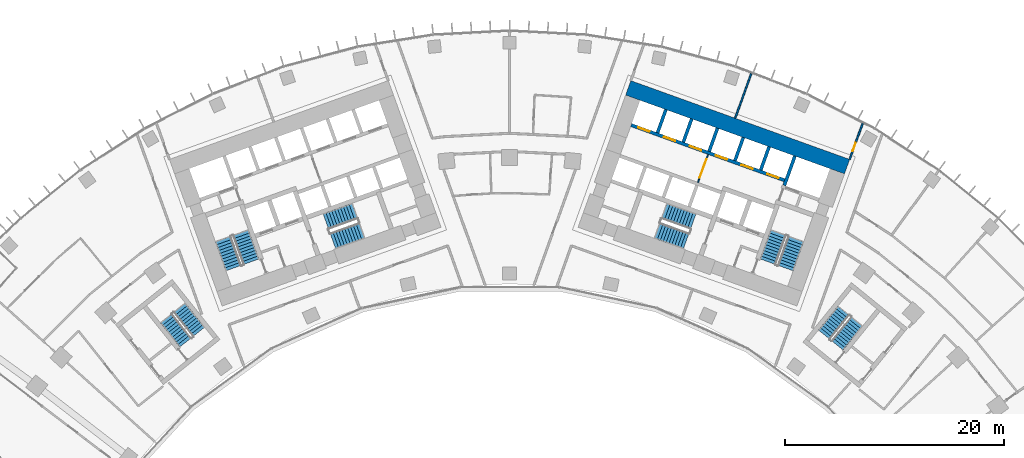
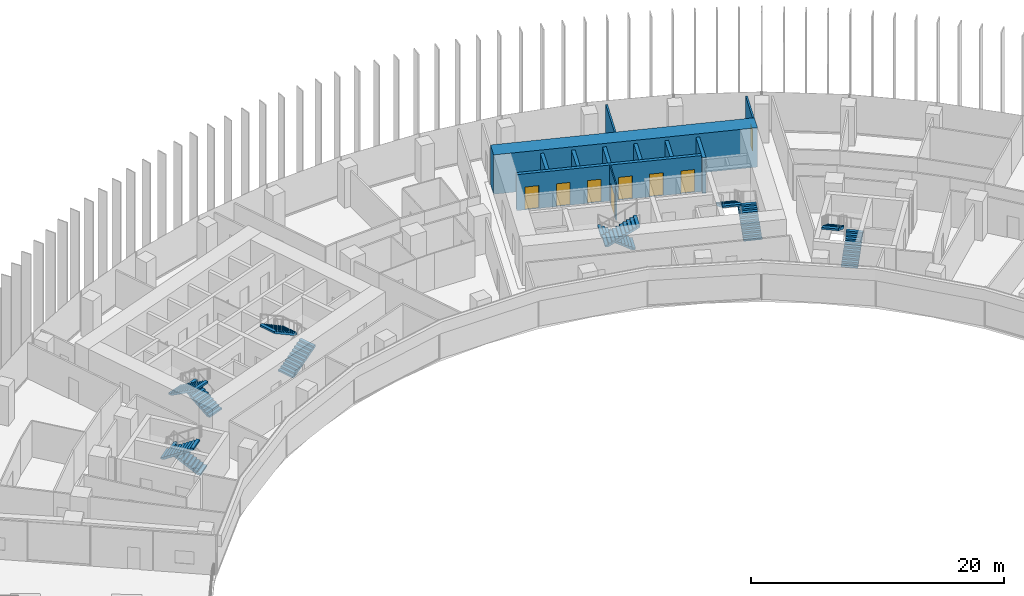
# One storey, part 19 of 21: 12 stair flights, 11 walls, 8 doors, 8 openings, 6 elements without a shape of their own.
"""IFC4 building model written with IfcOpenShell, lengths in metres."""

from ifc_helpers import new_model, si_unit, direction, frame, frame_2d, origin, place, context, subcontext, project, spatial, polyline, rectangle, outline, extrude, material, layer, layer_set, type_object, element, fill, aggregate, save


model = new_model("IFC4")

# Units and contexts
model_context = context("Model", 3, precision=1e-05, world=origin(), true_north=direction((0.0, 1.0)))
body_context = subcontext(model_context, "Body", "Model", "MODEL_VIEW")
ifc_project = project(units=[si_unit("LENGTHUNIT", "METRE"), si_unit("AREAUNIT", "SQUARE_METRE"), si_unit("VOLUMEUNIT", "CUBIC_METRE"), si_unit("PLANEANGLEUNIT", "RADIAN"), si_unit("MASSUNIT", "GRAM", prefix="KILO")], contexts=[model_context])

# Site, building, storey
site_placement = place(None, origin())
site = spatial("IfcSite", under=ifc_project, at=site_placement, CompositionType="ELEMENT")
building_placement = place(site_placement, origin())
building = spatial("IfcBuilding", under=site, at=building_placement, Name="Stone Belt Terrace Tower", CompositionType="ELEMENT")
storey_placement = place(building_placement, frame((0.0, 0.0, 87.0)))
storey = spatial("IfcBuildingStorey", under=building, at=storey_placement, Name="L20", CompositionType="ELEMENT", Elevation=87.0)

# Wall, opening, door
ifc_material_1 = material(Name="Plasterboard partition")
ifc_layer_1 = layer(ifc_material_1, 0.10009765625)
ifc_layer_set_1 = layer_set([ifc_layer_1], Name="Core partition 100")
wall_type_1 = type_object("IfcWallType", Name="Core partition 100", PredefinedType="PARTITIONING", material=ifc_layer_set_1)
wall_1_placement = place(storey_placement, frame((17.17724609375, 52.749755859375, 0.0), z_axis=(0.0, 0.0, 1.0), x_axis=(0.338546555931, 0.940949642365, 0.0)))
wall_1 = element("IfcWall", 1, at=wall_1_placement, inside=storey, type_object=wall_type_1, Name="Core B wall", PredefinedType="PARTITIONING", context=body_context, shape_type="SweptSolid", body=[
    extrude(rectangle(XDim=2.699951171875, YDim=0.10009765625, at=frame_2d((1.35009765625, 0.0))), origin(), (0.0, 0.0, 1.0), 3.47998046875),
])
opening_1_placement = place(wall_1_placement, frame((0.449951171875, 0.0, 0.0)))
opening_1 = element("IfcOpeningElement", 2, at=opening_1_placement, cuts=wall_1, Name="Opening L20-C14", PredefinedType="OPENING", context=body_context, shape_type="SweptSolid", body=[
    extrude(rectangle(XDim=1.800048828125, YDim=2.10009765625, at=frame_2d((0.89990234375, 1.050048828125))), frame((0.0, 0.06005859375, 0.0), z_axis=(0.0, -1.0, 0.0), x_axis=(1.0, 0.0, 0.0)), (0.0, 0.0, 1.0), 0.1201171875),
])
ifc_material_2 = material(Name="Glazed aluminium door leaf", Category="aluminium")
door_type_1 = type_object("IfcDoorType", Name="Lift lobby entrance door 1800", OperationType="DOUBLE_DOOR_SINGLE_SWING", PredefinedType="DOOR", material=ifc_material_2)
door_1_placement = place(opening_1_placement, origin())
door_1 = element("IfcDoor", 3, at=door_1_placement, inside=storey, type_object=door_type_1, Name="Lift lobby double door core B", OperationType="DOUBLE_DOOR_SINGLE_SWING", OverallHeight=2.10009765625, OverallWidth=1.800048828125, PredefinedType="DOOR", context=body_context, shape_type="SweptSolid", body=[
    extrude(rectangle(XDim=1.800048828125, YDim=2.10009765625, at=frame_2d((0.89990234375, 1.050048828125))), frame((0.0, 0.02490234375, 0.0), z_axis=(0.0, -1.0, 0.0), x_axis=(1.0, 0.0, 0.0)), (0.0, 0.0, 1.0), 0.050048828125),
])
fill(opening_1, door_1)

# Walls
ifc_material_3 = material(Name="Concrete B80", Category="concrete")
ifc_layer_2 = layer(ifc_material_3, 1.39990234375)
ifc_layer_set_2 = layer_set([ifc_layer_2], Name="Core wall 1400 B80")
wall_type_2 = type_object("IfcWallType", Name="Core wall 1400 B80", PredefinedType="SHEAR", material=ifc_layer_set_2)
wall_2_placement = place(storey_placement, frame((10.81787109375, 61.362060546875, 0.0), z_axis=(0.0, 0.0, 1.0), x_axis=(0.940919704758, -0.338629752382, 0.0)))
element("IfcWall", 4, at=wall_2_placement, inside=storey, type_object=wall_type_2, Name="Core B wall convex L20", PredefinedType="SHEAR", context=body_context, shape_type="SweptSolid", body=[
    extrude(rectangle(XDim=21.199951171875, YDim=1.39990234375, at=frame_2d((10.60009765625, 0.0))), origin(), (0.0, 0.0, 1.0), 3.800048828125),
])
ifc_layer_3 = layer(ifc_material_3, 0.300048828125)
ifc_layer_set_3 = layer_set([ifc_layer_3], Name="Lift shaft wall 300")
wall_type_3 = type_object("IfcWallType", Name="Lift shaft wall 300", PredefinedType="SHEAR", material=ifc_layer_set_3)
wall_3_placement = place(storey_placement, frame((25.046875, 52.46826171875, 0.0), z_axis=(0.0, 0.0, 1.0), x_axis=(0.338549588058, 0.940948551423, 0.0)))
element("IfcWall", 5, at=wall_3_placement, inside=storey, type_object=wall_type_3, Name="Core B wall", PredefinedType="SHEAR", context=body_context, shape_type="SweptSolid", body=[
    extrude(rectangle(XDim=2.849853515625, YDim=0.300048828125, at=frame_2d((1.4248046875, 0.0))), origin(), (0.0, 0.0, 1.0), 3.47998046875),
])

# Wall, openings, doors
wall_4_placement = place(storey_placement, frame((25.05810546875, 52.9423828125, 0.0), z_axis=(0.0, 0.0, 1.0), x_axis=(-0.940918215764, 0.338633889685, 0.0)))
wall_4 = element("IfcWall", 6, at=wall_4_placement, inside=storey, type_object=wall_type_3, Name="Core B wall", PredefinedType="SHEAR", context=body_context, shape_type="SweptSolid", body=[
    extrude(rectangle(XDim=14.850341796875, YDim=0.300048828125, at=frame_2d((7.42529296875, 0.0))), origin(), (0.0, 0.0, 1.0), 3.47998046875),
])
opening_2_placement = place(wall_4_placement, frame((0.570068359375, 0.0, 0.0)))
opening_2 = element("IfcOpeningElement", 7, at=opening_2_placement, cuts=wall_4, Name="Opening L20-LD10", PredefinedType="OPENING", context=body_context, shape_type="SweptSolid", body=[
    extrude(rectangle(XDim=1.10009765625, YDim=2.199951171875, at=frame_2d((0.550048828125, 1.10009765625))), frame((0.0, 0.159912109375, 0.0), z_axis=(0.0, -1.0, 0.0), x_axis=(1.0, 0.0, 0.0)), (0.0, 0.0, 1.0), 0.320068359375),
])
opening_3_placement = place(wall_4_placement, frame((3.070068359375, 0.0, 0.0)))
opening_3 = element("IfcOpeningElement", 8, at=opening_3_placement, cuts=wall_4, Name="Opening L20-LD11", PredefinedType="OPENING", context=body_context, shape_type="SweptSolid", body=[
    extrude(rectangle(XDim=1.10009765625, YDim=2.199951171875, at=frame_2d((0.550048828125, 1.10009765625))), frame((0.0, 0.159912109375, 0.0), z_axis=(0.0, -1.0, 0.0), x_axis=(1.0, 0.0, 0.0)), (0.0, 0.0, 1.0), 0.320068359375),
])
opening_4_placement = place(wall_4_placement, frame((5.570068359375, 0.0, 0.0)))
opening_4 = element("IfcOpeningElement", 9, at=opening_4_placement, cuts=wall_4, Name="Opening L20-LD12", PredefinedType="OPENING", context=body_context, shape_type="SweptSolid", body=[
    extrude(rectangle(XDim=1.10009765625, YDim=2.199951171875, at=frame_2d((0.550048828125, 1.10009765625))), frame((0.0, 0.159912109375, 0.0), z_axis=(0.0, -1.0, 0.0), x_axis=(1.0, 0.0, 0.0)), (0.0, 0.0, 1.0), 0.320068359375),
])
opening_5_placement = place(wall_4_placement, frame((8.070068359375, 0.0, 0.0)))
opening_5 = element("IfcOpeningElement", 10, at=opening_5_placement, cuts=wall_4, Name="Opening L20-LD13", PredefinedType="OPENING", context=body_context, shape_type="SweptSolid", body=[
    extrude(rectangle(XDim=1.10009765625, YDim=2.199951171875, at=frame_2d((0.550048828125, 1.10009765625))), frame((0.0, 0.159912109375, 0.0), z_axis=(0.0, -1.0, 0.0), x_axis=(1.0, 0.0, 0.0)), (0.0, 0.0, 1.0), 0.320068359375),
])
opening_6_placement = place(wall_4_placement, frame((10.570068359375, 0.0, 0.0)))
opening_6 = element("IfcOpeningElement", 11, at=opening_6_placement, cuts=wall_4, Name="Opening L20-LD14", PredefinedType="OPENING", context=body_context, shape_type="SweptSolid", body=[
    extrude(rectangle(XDim=1.10009765625, YDim=2.199951171875, at=frame_2d((0.550048828125, 1.10009765625))), frame((0.0, 0.159912109375, 0.0), z_axis=(0.0, -1.0, 0.0), x_axis=(1.0, 0.0, 0.0)), (0.0, 0.0, 1.0), 0.320068359375),
])
opening_7_placement = place(wall_4_placement, frame((13.070068359375, 0.0, 0.0)))
opening_7 = element("IfcOpeningElement", 12, at=opening_7_placement, cuts=wall_4, Name="Opening L20-LD15", PredefinedType="OPENING", context=body_context, shape_type="SweptSolid", body=[
    extrude(rectangle(XDim=1.10009765625, YDim=2.199951171875, at=frame_2d((0.550048828125, 1.10009765625))), frame((0.0, 0.159912109375, 0.0), z_axis=(0.0, -1.0, 0.0), x_axis=(1.0, 0.0, 0.0)), (0.0, 0.0, 1.0), 0.320068359375),
])
ifc_material_4 = material(Name="Stainless steel door leaf", Category="steel")
door_type_2 = type_object("IfcDoorType", Name="Landing door 1100", OperationType="SLIDING_TO_LEFT", PredefinedType="DOOR", material=ifc_material_4)
door_2_placement = place(opening_2_placement, origin())
door_2 = element("IfcDoor", 13, at=door_2_placement, inside=storey, type_object=door_type_2, Name="Landing door LR1 core B", OperationType="SLIDING_TO_LEFT", OverallHeight=2.199951171875, OverallWidth=1.10009765625, PredefinedType="DOOR", context=body_context, shape_type="SweptSolid", body=[
    extrude(rectangle(XDim=1.10009765625, YDim=2.199951171875, at=frame_2d((0.550048828125, 1.10009765625))), frame((0.0, 0.02490234375, 0.0), z_axis=(0.0, -1.0, 0.0), x_axis=(1.0, 0.0, 0.0)), (0.0, 0.0, 1.0), 0.050048828125),
])
fill(opening_2, door_2)
door_3_placement = place(opening_3_placement, origin())
door_3 = element("IfcDoor", 14, at=door_3_placement, inside=storey, type_object=door_type_2, Name="Landing door LR2 core B", OperationType="SLIDING_TO_LEFT", OverallHeight=2.199951171875, OverallWidth=1.10009765625, PredefinedType="DOOR", context=body_context, shape_type="SweptSolid", body=[
    extrude(rectangle(XDim=1.10009765625, YDim=2.199951171875, at=frame_2d((0.550048828125, 1.10009765625))), frame((0.0, 0.02490234375, 0.0), z_axis=(0.0, -1.0, 0.0), x_axis=(1.0, 0.0, 0.0)), (0.0, 0.0, 1.0), 0.050048828125),
])
fill(opening_3, door_3)
door_4_placement = place(opening_4_placement, origin())
door_4 = element("IfcDoor", 15, at=door_4_placement, inside=storey, type_object=door_type_2, Name="Landing door LR3 core B", OperationType="SLIDING_TO_LEFT", OverallHeight=2.199951171875, OverallWidth=1.10009765625, PredefinedType="DOOR", context=body_context, shape_type="SweptSolid", body=[
    extrude(rectangle(XDim=1.10009765625, YDim=2.199951171875, at=frame_2d((0.550048828125, 1.10009765625))), frame((0.0, 0.02490234375, 0.0), z_axis=(0.0, -1.0, 0.0), x_axis=(1.0, 0.0, 0.0)), (0.0, 0.0, 1.0), 0.050048828125),
])
fill(opening_4, door_4)
door_5_placement = place(opening_5_placement, origin())
door_5 = element("IfcDoor", 16, at=door_5_placement, inside=storey, type_object=door_type_2, Name="Landing door LR4 core B", OperationType="SLIDING_TO_LEFT", OverallHeight=2.199951171875, OverallWidth=1.10009765625, PredefinedType="DOOR", context=body_context, shape_type="SweptSolid", body=[
    extrude(rectangle(XDim=1.10009765625, YDim=2.199951171875, at=frame_2d((0.550048828125, 1.10009765625))), frame((0.0, 0.02490234375, 0.0), z_axis=(0.0, -1.0, 0.0), x_axis=(1.0, 0.0, 0.0)), (0.0, 0.0, 1.0), 0.050048828125),
])
fill(opening_5, door_5)
door_6_placement = place(opening_6_placement, origin())
door_6 = element("IfcDoor", 17, at=door_6_placement, inside=storey, type_object=door_type_2, Name="Landing door LR5 core B", OperationType="SLIDING_TO_LEFT", OverallHeight=2.199951171875, OverallWidth=1.10009765625, PredefinedType="DOOR", context=body_context, shape_type="SweptSolid", body=[
    extrude(rectangle(XDim=1.10009765625, YDim=2.199951171875, at=frame_2d((0.550048828125, 1.10009765625))), frame((0.0, 0.02490234375, 0.0), z_axis=(0.0, -1.0, 0.0), x_axis=(1.0, 0.0, 0.0)), (0.0, 0.0, 1.0), 0.050048828125),
])
fill(opening_6, door_6)
door_7_placement = place(opening_7_placement, origin())
door_7 = element("IfcDoor", 18, at=door_7_placement, inside=storey, type_object=door_type_2, Name="Landing door LR6 core B", OperationType="SLIDING_TO_LEFT", OverallHeight=2.199951171875, OverallWidth=1.10009765625, PredefinedType="DOOR", context=body_context, shape_type="SweptSolid", body=[
    extrude(rectangle(XDim=1.10009765625, YDim=2.199951171875, at=frame_2d((0.550048828125, 1.10009765625))), frame((0.0, 0.02490234375, 0.0), z_axis=(0.0, -1.0, 0.0), x_axis=(1.0, 0.0, 0.0)), (0.0, 0.0, 1.0), 0.050048828125),
])
fill(opening_7, door_7)

# Walls
wall_5_placement = place(storey_placement, frame((22.897705078125, 53.87939453125, 0.0), z_axis=(0.0, 0.0, 1.0), x_axis=(0.338535034312, 0.940953787677, 0.0)))
element("IfcWall", 19, at=wall_5_placement, inside=storey, type_object=wall_type_3, Name="Core B wall", PredefinedType="SHEAR", context=body_context, shape_type="SweptSolid", body=[
    extrude(rectangle(XDim=2.25, YDim=0.300048828125, at=frame_2d((1.125, 0.0))), origin(), (0.0, 0.0, 1.0), 3.47998046875),
])
wall_6_placement = place(storey_placement, frame((20.54541015625, 54.72607421875, 0.0), z_axis=(0.0, 0.0, 1.0), x_axis=(0.338569601369, 0.940941350472, 0.0)))
element("IfcWall", 20, at=wall_6_placement, inside=storey, type_object=wall_type_3, Name="Core B wall", PredefinedType="SHEAR", context=body_context, shape_type="SweptSolid", body=[
    extrude(rectangle(XDim=2.249755859375, YDim=0.300048828125, at=frame_2d((1.125, 0.0))), origin(), (0.0, 0.0, 1.0), 3.47998046875),
])
wall_7_placement = place(storey_placement, frame((18.193115234375, 55.572509765625, 0.0), z_axis=(0.0, 0.0, 1.0), x_axis=(0.338535034312, 0.940953787677, 0.0)))
element("IfcWall", 21, at=wall_7_placement, inside=storey, type_object=wall_type_3, Name="Core B wall", PredefinedType="SHEAR", context=body_context, shape_type="SweptSolid", body=[
    extrude(rectangle(XDim=2.25, YDim=0.300048828125, at=frame_2d((1.125, 0.0))), origin(), (0.0, 0.0, 1.0), 3.47998046875),
])
wall_8_placement = place(storey_placement, frame((15.8408203125, 56.419189453125, 0.0), z_axis=(0.0, 0.0, 1.0), x_axis=(0.338569601369, 0.940941350472, 0.0)))
element("IfcWall", 22, at=wall_8_placement, inside=storey, type_object=wall_type_3, Name="Core B wall", PredefinedType="SHEAR", context=body_context, shape_type="SweptSolid", body=[
    extrude(rectangle(XDim=2.249755859375, YDim=0.300048828125, at=frame_2d((1.125, 0.0))), origin(), (0.0, 0.0, 1.0), 3.47998046875),
])
wall_9_placement = place(storey_placement, frame((13.48828125, 57.265625, 0.0), z_axis=(0.0, 0.0, 1.0), x_axis=(0.338631098537, 0.940919220286, 0.0)))
element("IfcWall", 23, at=wall_9_placement, inside=storey, type_object=wall_type_3, Name="Core B wall", PredefinedType="SHEAR", context=body_context, shape_type="SweptSolid", body=[
    extrude(rectangle(XDim=2.250244140625, YDim=0.300048828125, at=frame_2d((1.125, 0.0))), origin(), (0.0, 0.0, 1.0), 3.47998046875),
])

# Wall, opening, door
ifc_material_5 = material(Name="Gypsum board partition")
ifc_layer_4 = layer(ifc_material_5, 0.14990234375)
ifc_layer_set_4 = layer_set([ifc_layer_4], Name="PARTITION 150 EI 60")
wall_type_4 = type_object("IfcWallType", Name="PARTITION 150 EI 60", PredefinedType="PARTITIONING", material=ifc_layer_set_4)
wall_10_placement = place(storey_placement, frame((31.001953125, 54.842041015625, 0.0), z_axis=(0.0, 0.0, 1.0), x_axis=(0.338662585219, 0.940907887826, 0.0)))
wall_10 = element("IfcWall", 24, at=wall_10_placement, inside=storey, type_object=wall_type_4, Name="L20/wall/i020", PredefinedType="PARTITIONING", context=body_context, shape_type="SweptSolid", body=[
    extrude(rectangle(XDim=3.49560546875, YDim=0.14990234375, at=frame_2d((1.747802734375, 0.0))), origin(), (0.0, 0.0, 1.0), 3.47998046875),
])
opening_8_placement = place(wall_10_placement, frame((0.823974609375, 0.0, 0.0)))
opening_8 = element("IfcOpeningElement", 25, at=opening_8_placement, cuts=wall_10, Name="Opening D-B1-08", PredefinedType="OPENING", context=body_context, shape_type="SweptSolid", body=[
    extrude(rectangle(XDim=0.800048828125, YDim=2.10009765625, at=frame_2d((0.39990234375, 1.050048828125))), frame((0.0, 0.0849609375, 0.0), z_axis=(0.0, -1.0, 0.0), x_axis=(1.0, 0.0, 0.0)), (0.0, 0.0, 1.0), 0.169921875),
])
ifc_material_6 = material(Name="Timber door leaf", Category="wood")
door_type_3 = type_object("IfcDoorType", Name="STORE DOOR 800 X 2100", OperationType="NOTDEFINED", PredefinedType="DOOR", material=ifc_material_6)
door_8_placement = place(opening_8_placement, origin())
door_8 = element("IfcDoor", 26, at=door_8_placement, inside=storey, type_object=door_type_3, Name="L20/door/i08", OperationType="SINGLE_SWING_LEFT", OverallHeight=2.10009765625, OverallWidth=0.800048828125, PredefinedType="DOOR", context=body_context, shape_type="SweptSolid", body=[
    extrude(rectangle(XDim=0.800048828125, YDim=2.10009765625, at=frame_2d((0.39990234375, 1.050048828125))), frame((0.0, 0.02490234375, 0.0), z_axis=(0.0, -1.0, 0.0), x_axis=(1.0, 0.0, 0.0)), (0.0, 0.0, 1.0), 0.050048828125),
])
fill(opening_8, door_8)

# Wall
wall_11_placement = place(storey_placement, frame((22.032958984375, 62.676025390625, 0.0), z_axis=(0.0, 0.0, 1.0), x_axis=(-0.338697527565, -0.940895310235, 0.0)))
element("IfcWall", 27, at=wall_11_placement, inside=storey, type_object=wall_type_4, Name="L20/wall/i028", PredefinedType="PARTITIONING", context=body_context, shape_type="SweptSolid", body=[
    extrude(rectangle(XDim=4.334228515625, YDim=0.14990234375, at=frame_2d((2.1669921875, 0.0))), origin(), (0.0, 0.0, 1.0), 3.47998046875),
])

# Stair, stair flights
ifc_material_7 = material(Name="Concrete B40", Category="concrete")
stair_type = type_object("IfcStairType", Name="Exit stair 1500", PredefinedType="HALF_TURN_STAIR", material=ifc_material_7)
stair_1_placement = place(storey_placement, origin())
stair_1 = element("IfcStair", 28, at=stair_1_placement, inside=storey, type_object=stair_type, Name="L20 Exit stair 1 core A", PredefinedType="HALF_TURN_STAIR")
stair_flight_type = type_object("IfcStairFlightType", Name="Stair flight 1500", PredefinedType="STRAIGHT", material=ifc_material_7)
stair_flight_1_placement = place(storey_placement, frame((-23.55322265625, 45.51318359375, 0.0), z_axis=(0.0, 0.0, 1.0), x_axis=(-0.338624396177, 0.940921632398, 0.0)))
stair_flight_1 = element("IfcStairFlight", 29, at=stair_flight_1_placement, type_object=stair_flight_type, Name="ST1A flight 1", NumberOfRisers=11, NumberOfTreads=10, PredefinedType="STRAIGHT", RiserHeight=0.172727273, TreadLength=0.28, context=body_context, shape_type="SweptSolid", body=[
    extrude(outline(polyline([(0.0, 0.0), (0.0, 0.172607421875), (0.280029296875, 0.172607421875), (0.280029296875, 0.345458984375), (0.56005859375, 0.345458984375), (0.56005859375, 0.51806640625), (0.840087890625, 0.51806640625), (0.840087890625, 0.69091796875), (1.1201171875, 0.69091796875), (1.1201171875, 0.863525390625), (1.39990234375, 0.863525390625), (1.39990234375, 1.036376953125), (1.679931640625, 1.036376953125), (1.679931640625, 1.208984375), (1.9599609375, 1.208984375), (1.9599609375, 1.3818359375), (2.239990234375, 1.3818359375), (2.239990234375, 1.554443359375), (2.52001953125, 1.554443359375), (2.52001953125, 1.727294921875), (2.800048828125, 1.727294921875), (2.800048828125, 1.89990234375), (2.800048828125, 1.551025390625), (0.285400390625, 0.0), (0.0, 0.0)])), frame((0.0, 0.75, 0.0), z_axis=(0.0, -1.0, 0.0), x_axis=(1.0, 0.0, 0.0)), (0.0, 0.0, 1.0), 1.5),
])
stair_flight_2_placement = place(storey_placement, frame((-26.10107421875, 47.572021484375, 1.89990234375), z_axis=(0.0, 0.0, 1.0), x_axis=(0.338624396177, -0.940921632398, 0.0)))
stair_flight_2 = element("IfcStairFlight", 30, at=stair_flight_2_placement, type_object=stair_flight_type, Name="ST1A flight 2", NumberOfRisers=11, NumberOfTreads=10, PredefinedType="STRAIGHT", RiserHeight=0.172727273, TreadLength=0.28, context=body_context, shape_type="SweptSolid", body=[
    extrude(outline(polyline([(0.0, 0.0), (0.0, 0.172607421875), (0.280029296875, 0.172607421875), (0.280029296875, 0.345458984375), (0.56005859375, 0.345458984375), (0.56005859375, 0.51806640625), (0.840087890625, 0.51806640625), (0.840087890625, 0.69091796875), (1.1201171875, 0.69091796875), (1.1201171875, 0.863525390625), (1.39990234375, 0.863525390625), (1.39990234375, 1.036376953125), (1.679931640625, 1.036376953125), (1.679931640625, 1.208984375), (1.9599609375, 1.208984375), (1.9599609375, 1.3818359375), (2.239990234375, 1.3818359375), (2.239990234375, 1.554443359375), (2.52001953125, 1.554443359375), (2.52001953125, 1.727294921875), (2.800048828125, 1.727294921875), (2.800048828125, 1.89990234375), (2.800048828125, 1.551025390625), (0.285400390625, 0.0), (0.0, 0.0)])), frame((0.0, 0.75, 0.0), z_axis=(0.0, -1.0, 0.0), x_axis=(1.0, 0.0, 0.0)), (0.0, 0.0, 1.0), 1.5),
])
aggregate(stair_1, [stair_flight_1, stair_flight_2])

stair_2_placement = place(storey_placement, origin())
stair_2 = element("IfcStair", 31, at=stair_2_placement, inside=storey, type_object=stair_type, Name="L20 Exit stair 2 core A", PredefinedType="HALF_TURN_STAIR")
stair_flight_3_placement = place(storey_placement, frame((-16.101318359375, 47.39794921875, 0.0), z_axis=(0.0, 0.0, 1.0), x_axis=(0.940921632398, 0.338624396177, 0.0)))
stair_flight_3 = element("IfcStairFlight", 32, at=stair_flight_3_placement, type_object=stair_flight_type, Name="ST2A flight 1", NumberOfRisers=11, NumberOfTreads=10, PredefinedType="STRAIGHT", RiserHeight=0.172727273, TreadLength=0.28, context=body_context, shape_type="SweptSolid", body=[
    extrude(outline(polyline([(0.0, 0.0), (0.0, 0.172607421875), (0.280029296875, 0.172607421875), (0.280029296875, 0.345458984375), (0.56005859375, 0.345458984375), (0.56005859375, 0.51806640625), (0.840087890625, 0.51806640625), (0.840087890625, 0.69091796875), (1.1201171875, 0.69091796875), (1.1201171875, 0.863525390625), (1.39990234375, 0.863525390625), (1.39990234375, 1.036376953125), (1.679931640625, 1.036376953125), (1.679931640625, 1.208984375), (1.9599609375, 1.208984375), (1.9599609375, 1.3818359375), (2.239990234375, 1.3818359375), (2.239990234375, 1.554443359375), (2.52001953125, 1.554443359375), (2.52001953125, 1.727294921875), (2.800048828125, 1.727294921875), (2.800048828125, 1.89990234375), (2.800048828125, 1.551025390625), (0.285400390625, 0.0), (0.0, 0.0)])), frame((0.0, 0.75, 0.0), z_axis=(0.0, -1.0, 0.0), x_axis=(1.0, 0.0, 0.0)), (0.0, 0.0, 1.0), 1.5),
])
stair_flight_4_placement = place(storey_placement, frame((-14.110107421875, 50.1337890625, 1.89990234375), z_axis=(0.0, 0.0, 1.0), x_axis=(-0.940921632398, -0.338624396177, 0.0)))
stair_flight_4 = element("IfcStairFlight", 33, at=stair_flight_4_placement, type_object=stair_flight_type, Name="ST2A flight 2", NumberOfRisers=11, NumberOfTreads=10, PredefinedType="STRAIGHT", RiserHeight=0.172727273, TreadLength=0.28, context=body_context, shape_type="SweptSolid", body=[
    extrude(outline(polyline([(0.0, 0.0), (0.0, 0.172607421875), (0.280029296875, 0.172607421875), (0.280029296875, 0.345458984375), (0.56005859375, 0.345458984375), (0.56005859375, 0.51806640625), (0.840087890625, 0.51806640625), (0.840087890625, 0.69091796875), (1.1201171875, 0.69091796875), (1.1201171875, 0.863525390625), (1.39990234375, 0.863525390625), (1.39990234375, 1.036376953125), (1.679931640625, 1.036376953125), (1.679931640625, 1.208984375), (1.9599609375, 1.208984375), (1.9599609375, 1.3818359375), (2.239990234375, 1.3818359375), (2.239990234375, 1.554443359375), (2.52001953125, 1.554443359375), (2.52001953125, 1.727294921875), (2.800048828125, 1.727294921875), (2.800048828125, 1.89990234375), (2.800048828125, 1.551025390625), (0.285400390625, 0.0), (0.0, 0.0)])), frame((0.0, 0.75, 0.0), z_axis=(0.0, -1.0, 0.0), x_axis=(1.0, 0.0, 0.0)), (0.0, 0.0, 1.0), 1.5),
])
aggregate(stair_2, [stair_flight_3, stair_flight_4])

stair_3_placement = place(storey_placement, origin())
stair_3 = element("IfcStair", 34, at=stair_3_placement, inside=storey, type_object=stair_type, Name="L20 Exit stair 1 core B", PredefinedType="HALF_TURN_STAIR")
stair_flight_5_placement = place(storey_placement, frame((25.15283203125, 44.9375, 0.0), z_axis=(0.0, 0.0, 1.0), x_axis=(0.338624396177, 0.940921632398, 0.0)))
stair_flight_5 = element("IfcStairFlight", 35, at=stair_flight_5_placement, type_object=stair_flight_type, Name="ST1B flight 1", NumberOfRisers=11, NumberOfTreads=10, PredefinedType="STRAIGHT", RiserHeight=0.172727273, TreadLength=0.28, context=body_context, shape_type="SweptSolid", body=[
    extrude(outline(polyline([(0.0, 0.0), (0.0, 0.172607421875), (0.280029296875, 0.172607421875), (0.280029296875, 0.345458984375), (0.56005859375, 0.345458984375), (0.56005859375, 0.51806640625), (0.840087890625, 0.51806640625), (0.840087890625, 0.69091796875), (1.1201171875, 0.69091796875), (1.1201171875, 0.863525390625), (1.39990234375, 0.863525390625), (1.39990234375, 1.036376953125), (1.679931640625, 1.036376953125), (1.679931640625, 1.208984375), (1.9599609375, 1.208984375), (1.9599609375, 1.3818359375), (2.239990234375, 1.3818359375), (2.239990234375, 1.554443359375), (2.52001953125, 1.554443359375), (2.52001953125, 1.727294921875), (2.800048828125, 1.727294921875), (2.800048828125, 1.89990234375), (2.800048828125, 1.551025390625), (0.285400390625, 0.0), (0.0, 0.0)])), frame((0.0, 0.75, 0.0), z_axis=(0.0, -1.0, 0.0), x_axis=(1.0, 0.0, 0.0)), (0.0, 0.0, 1.0), 1.5),
])
stair_flight_6_placement = place(storey_placement, frame((24.50146484375, 48.147705078125, 1.89990234375), z_axis=(0.0, 0.0, 1.0), x_axis=(-0.338624396177, -0.940921632398, 0.0)))
stair_flight_6 = element("IfcStairFlight", 36, at=stair_flight_6_placement, type_object=stair_flight_type, Name="ST1B flight 2", NumberOfRisers=11, NumberOfTreads=10, PredefinedType="STRAIGHT", RiserHeight=0.172727273, TreadLength=0.28, context=body_context, shape_type="SweptSolid", body=[
    extrude(outline(polyline([(0.0, 0.0), (0.0, 0.172607421875), (0.280029296875, 0.172607421875), (0.280029296875, 0.345458984375), (0.56005859375, 0.345458984375), (0.56005859375, 0.51806640625), (0.840087890625, 0.51806640625), (0.840087890625, 0.69091796875), (1.1201171875, 0.69091796875), (1.1201171875, 0.863525390625), (1.39990234375, 0.863525390625), (1.39990234375, 1.036376953125), (1.679931640625, 1.036376953125), (1.679931640625, 1.208984375), (1.9599609375, 1.208984375), (1.9599609375, 1.3818359375), (2.239990234375, 1.3818359375), (2.239990234375, 1.554443359375), (2.52001953125, 1.554443359375), (2.52001953125, 1.727294921875), (2.800048828125, 1.727294921875), (2.800048828125, 1.89990234375), (2.800048828125, 1.551025390625), (0.285400390625, 0.0), (0.0, 0.0)])), frame((0.0, 0.75, 0.0), z_axis=(0.0, -1.0, 0.0), x_axis=(1.0, 0.0, 0.0)), (0.0, 0.0, 1.0), 1.5),
])
aggregate(stair_3, [stair_flight_5, stair_flight_6])

stair_4_placement = place(storey_placement, origin())
stair_4 = element("IfcStair", 37, at=stair_4_placement, inside=storey, type_object=stair_type, Name="L20 Exit stair 2 core B", PredefinedType="HALF_TURN_STAIR")
stair_flight_7_placement = place(storey_placement, frame((16.74462890625, 49.185546875, 0.0), z_axis=(0.0, 0.0, 1.0), x_axis=(-0.940921632398, 0.338624396177, 0.0)))
stair_flight_7 = element("IfcStairFlight", 38, at=stair_flight_7_placement, type_object=stair_flight_type, Name="ST2B flight 1", NumberOfRisers=11, NumberOfTreads=10, PredefinedType="STRAIGHT", RiserHeight=0.172727273, TreadLength=0.28, context=body_context, shape_type="SweptSolid", body=[
    extrude(outline(polyline([(0.0, 0.0), (0.0, 0.172607421875), (0.280029296875, 0.172607421875), (0.280029296875, 0.345458984375), (0.56005859375, 0.345458984375), (0.56005859375, 0.51806640625), (0.840087890625, 0.51806640625), (0.840087890625, 0.69091796875), (1.1201171875, 0.69091796875), (1.1201171875, 0.863525390625), (1.39990234375, 0.863525390625), (1.39990234375, 1.036376953125), (1.679931640625, 1.036376953125), (1.679931640625, 1.208984375), (1.9599609375, 1.208984375), (1.9599609375, 1.3818359375), (2.239990234375, 1.3818359375), (2.239990234375, 1.554443359375), (2.52001953125, 1.554443359375), (2.52001953125, 1.727294921875), (2.800048828125, 1.727294921875), (2.800048828125, 1.89990234375), (2.800048828125, 1.551025390625), (0.285400390625, 0.0), (0.0, 0.0)])), frame((0.0, 0.75, 0.0), z_axis=(0.0, -1.0, 0.0), x_axis=(1.0, 0.0, 0.0)), (0.0, 0.0, 1.0), 1.5),
])
stair_flight_8_placement = place(storey_placement, frame((13.466796875, 48.345947265625, 1.89990234375), z_axis=(0.0, 0.0, 1.0), x_axis=(0.940921632398, -0.338624396177, 0.0)))
stair_flight_8 = element("IfcStairFlight", 39, at=stair_flight_8_placement, type_object=stair_flight_type, Name="ST2B flight 2", NumberOfRisers=11, NumberOfTreads=10, PredefinedType="STRAIGHT", RiserHeight=0.172727273, TreadLength=0.28, context=body_context, shape_type="SweptSolid", body=[
    extrude(outline(polyline([(0.0, 0.0), (0.0, 0.172607421875), (0.280029296875, 0.172607421875), (0.280029296875, 0.345458984375), (0.56005859375, 0.345458984375), (0.56005859375, 0.51806640625), (0.840087890625, 0.51806640625), (0.840087890625, 0.69091796875), (1.1201171875, 0.69091796875), (1.1201171875, 0.863525390625), (1.39990234375, 0.863525390625), (1.39990234375, 1.036376953125), (1.679931640625, 1.036376953125), (1.679931640625, 1.208984375), (1.9599609375, 1.208984375), (1.9599609375, 1.3818359375), (2.239990234375, 1.3818359375), (2.239990234375, 1.554443359375), (2.52001953125, 1.554443359375), (2.52001953125, 1.727294921875), (2.800048828125, 1.727294921875), (2.800048828125, 1.89990234375), (2.800048828125, 1.551025390625), (0.285400390625, 0.0), (0.0, 0.0)])), frame((0.0, 0.75, 0.0), z_axis=(0.0, -1.0, 0.0), x_axis=(1.0, 0.0, 0.0)), (0.0, 0.0, 1.0), 1.5),
])
aggregate(stair_4, [stair_flight_7, stair_flight_8])

stair_5_placement = place(storey_placement, origin())
stair_5 = element("IfcStair", 40, at=stair_5_placement, inside=storey, type_object=stair_type, Name="L20 Exit stair 3A", PredefinedType="HALF_TURN_STAIR")
stair_flight_9_placement = place(storey_placement, frame((-28.325439453125, 39.1240234375, 0.0), z_axis=(0.0, 0.0, 1.0), x_axis=(-0.623121363691, 0.782125160132, 0.0)))
stair_flight_9 = element("IfcStairFlight", 41, at=stair_flight_9_placement, type_object=stair_flight_type, Name="ST3A flight 1", NumberOfRisers=11, NumberOfTreads=10, PredefinedType="STRAIGHT", RiserHeight=0.172727273, TreadLength=0.28, context=body_context, shape_type="SweptSolid", body=[
    extrude(outline(polyline([(0.0, 0.0), (0.0, 0.172607421875), (0.280029296875, 0.172607421875), (0.280029296875, 0.345458984375), (0.56005859375, 0.345458984375), (0.56005859375, 0.51806640625), (0.840087890625, 0.51806640625), (0.840087890625, 0.69091796875), (1.1201171875, 0.69091796875), (1.1201171875, 0.863525390625), (1.39990234375, 0.863525390625), (1.39990234375, 1.036376953125), (1.679931640625, 1.036376953125), (1.679931640625, 1.208984375), (1.9599609375, 1.208984375), (1.9599609375, 1.3818359375), (2.239990234375, 1.3818359375), (2.239990234375, 1.554443359375), (2.52001953125, 1.554443359375), (2.52001953125, 1.727294921875), (2.800048828125, 1.727294921875), (2.800048828125, 1.89990234375), (2.800048828125, 1.551025390625), (0.285400390625, 0.0), (0.0, 0.0)])), frame((0.0, 0.675048828125, 0.0), z_axis=(0.0, -1.0, 0.0), x_axis=(1.0, 0.0, 0.0)), (0.0, 0.0, 1.0), 1.35009765625),
])
stair_flight_10_placement = place(storey_placement, frame((-31.282470703125, 40.34814453125, 1.89990234375), z_axis=(0.0, 0.0, 1.0), x_axis=(0.623121363691, -0.782125160132, 0.0)))
stair_flight_10 = element("IfcStairFlight", 42, at=stair_flight_10_placement, type_object=stair_flight_type, Name="ST3A flight 2", NumberOfRisers=11, NumberOfTreads=10, PredefinedType="STRAIGHT", RiserHeight=0.172727273, TreadLength=0.28, context=body_context, shape_type="SweptSolid", body=[
    extrude(outline(polyline([(0.0, 0.0), (0.0, 0.172607421875), (0.280029296875, 0.172607421875), (0.280029296875, 0.345458984375), (0.56005859375, 0.345458984375), (0.56005859375, 0.51806640625), (0.840087890625, 0.51806640625), (0.840087890625, 0.69091796875), (1.1201171875, 0.69091796875), (1.1201171875, 0.863525390625), (1.39990234375, 0.863525390625), (1.39990234375, 1.036376953125), (1.679931640625, 1.036376953125), (1.679931640625, 1.208984375), (1.9599609375, 1.208984375), (1.9599609375, 1.3818359375), (2.239990234375, 1.3818359375), (2.239990234375, 1.554443359375), (2.52001953125, 1.554443359375), (2.52001953125, 1.727294921875), (2.800048828125, 1.727294921875), (2.800048828125, 1.89990234375), (2.800048828125, 1.551025390625), (0.285400390625, 0.0), (0.0, 0.0)])), frame((0.0, 0.675048828125, 0.0), z_axis=(0.0, -1.0, 0.0), x_axis=(1.0, 0.0, 0.0)), (0.0, 0.0, 1.0), 1.35009765625),
])
aggregate(stair_5, [stair_flight_9, stair_flight_10])

stair_6_placement = place(storey_placement, origin())
stair_6 = element("IfcStair", 43, at=stair_6_placement, inside=storey, type_object=stair_type, Name="L20 Exit stair 3B", PredefinedType="HALF_TURN_STAIR")
stair_flight_11_placement = place(storey_placement, frame((29.88330078125, 37.887939453125, 0.0), z_axis=(0.0, 0.0, 1.0), x_axis=(0.630205749599, 0.776428176441, 0.0)))
stair_flight_11 = element("IfcStairFlight", 44, at=stair_flight_11_placement, type_object=stair_flight_type, Name="ST3B flight 1", NumberOfRisers=11, NumberOfTreads=10, PredefinedType="STRAIGHT", RiserHeight=0.172727273, TreadLength=0.28, context=body_context, shape_type="SweptSolid", body=[
    extrude(outline(polyline([(0.0, 0.0), (0.0, 0.172607421875), (0.280029296875, 0.172607421875), (0.280029296875, 0.345458984375), (0.56005859375, 0.345458984375), (0.56005859375, 0.51806640625), (0.840087890625, 0.51806640625), (0.840087890625, 0.69091796875), (1.1201171875, 0.69091796875), (1.1201171875, 0.863525390625), (1.39990234375, 0.863525390625), (1.39990234375, 1.036376953125), (1.679931640625, 1.036376953125), (1.679931640625, 1.208984375), (1.9599609375, 1.208984375), (1.9599609375, 1.3818359375), (2.239990234375, 1.3818359375), (2.239990234375, 1.554443359375), (2.52001953125, 1.554443359375), (2.52001953125, 1.727294921875), (2.800048828125, 1.727294921875), (2.800048828125, 1.89990234375), (2.800048828125, 1.551025390625), (0.285400390625, 0.0), (0.0, 0.0)])), frame((0.0, 0.675048828125, 0.0), z_axis=(0.0, -1.0, 0.0), x_axis=(1.0, 0.0, 0.0)), (0.0, 0.0, 1.0), 1.35009765625),
])
stair_flight_12_placement = place(storey_placement, frame((30.4443359375, 41.038818359375, 1.89990234375), z_axis=(0.0, 0.0, 1.0), x_axis=(-0.630205749599, -0.776428176441, 0.0)))
stair_flight_12 = element("IfcStairFlight", 45, at=stair_flight_12_placement, type_object=stair_flight_type, Name="ST3B flight 2", NumberOfRisers=11, NumberOfTreads=10, PredefinedType="STRAIGHT", RiserHeight=0.172727273, TreadLength=0.28, context=body_context, shape_type="SweptSolid", body=[
    extrude(outline(polyline([(0.0, 0.0), (0.0, 0.172607421875), (0.280029296875, 0.172607421875), (0.280029296875, 0.345458984375), (0.56005859375, 0.345458984375), (0.56005859375, 0.51806640625), (0.840087890625, 0.51806640625), (0.840087890625, 0.69091796875), (1.1201171875, 0.69091796875), (1.1201171875, 0.863525390625), (1.39990234375, 0.863525390625), (1.39990234375, 1.036376953125), (1.679931640625, 1.036376953125), (1.679931640625, 1.208984375), (1.9599609375, 1.208984375), (1.9599609375, 1.3818359375), (2.239990234375, 1.3818359375), (2.239990234375, 1.554443359375), (2.52001953125, 1.554443359375), (2.52001953125, 1.727294921875), (2.800048828125, 1.727294921875), (2.800048828125, 1.89990234375), (2.800048828125, 1.551025390625), (0.285400390625, 0.0), (0.0, 0.0)])), frame((0.0, 0.675048828125, 0.0), z_axis=(0.0, -1.0, 0.0), x_axis=(1.0, 0.0, 0.0)), (0.0, 0.0, 1.0), 1.35009765625),
])
aggregate(stair_6, [stair_flight_11, stair_flight_12])

save(model, "model.ifc")
